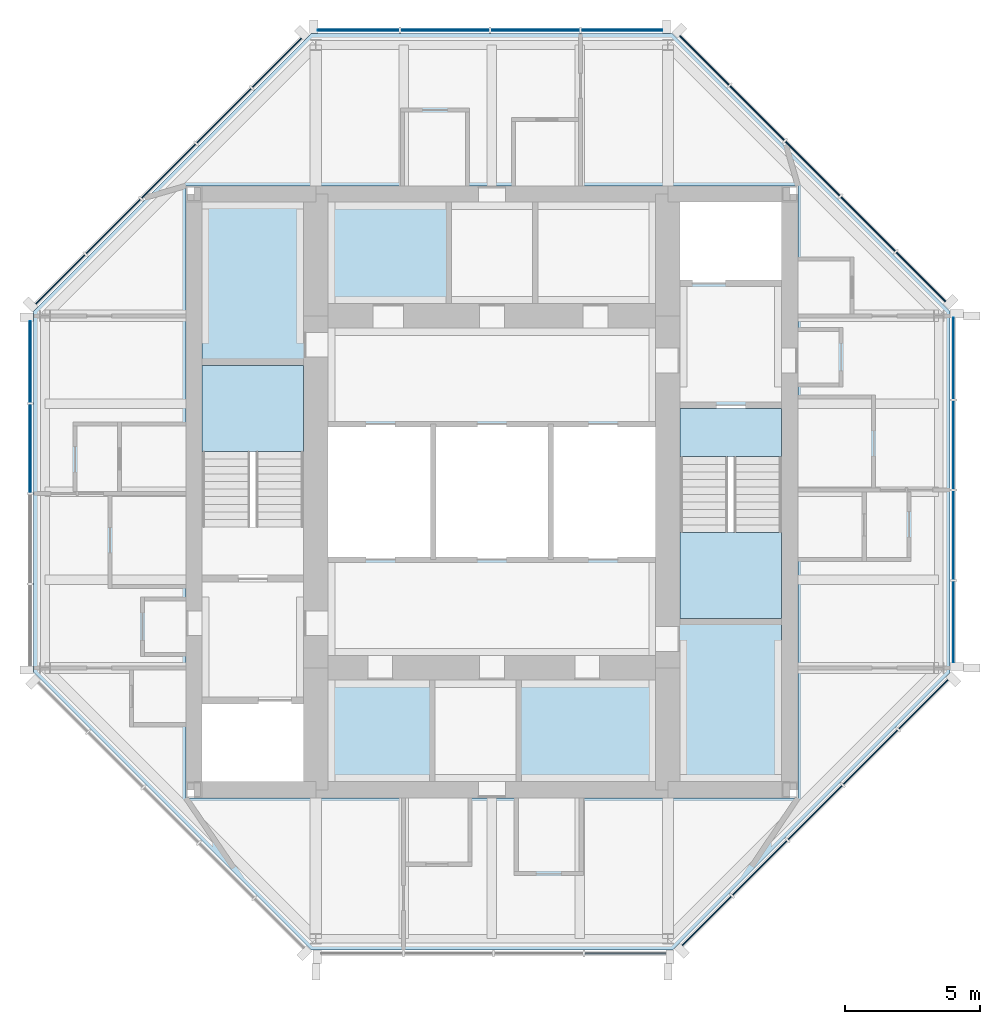
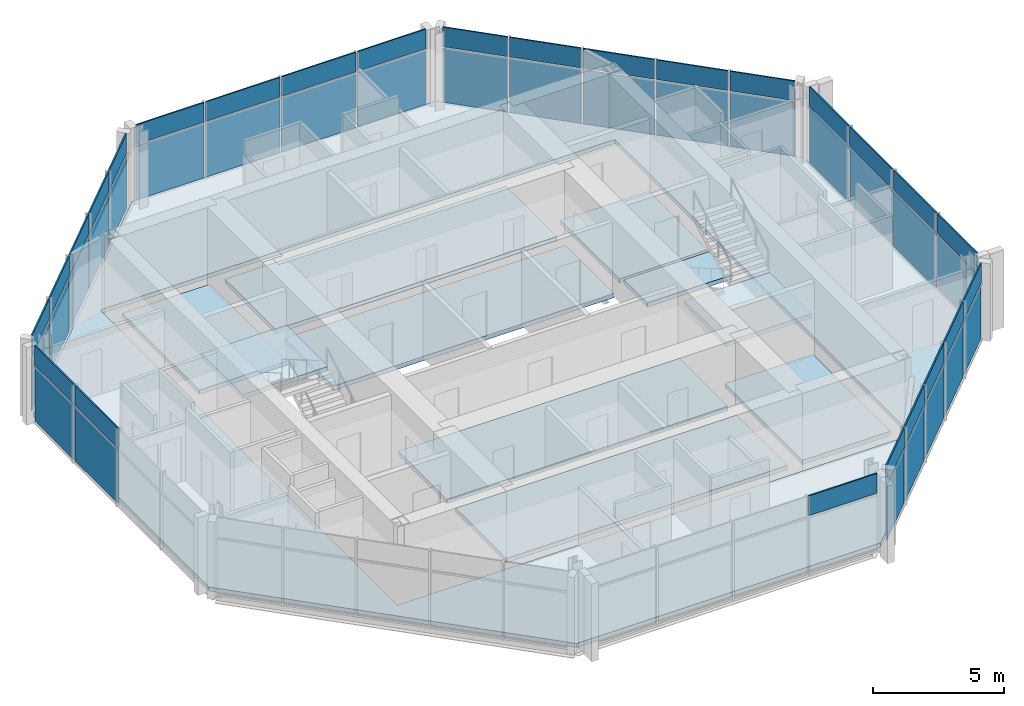
# One storey, part 4 of 9: 51 plates, 11 slabs, 9 elements without a shape of their own.
"""IFC4 building model written with IfcOpenShell, lengths in metres."""

from ifc_helpers import new_model, si_unit, direction, frame, origin, origin_2d, place, context, subcontext, project, spatial, polyline, rectangle, outline, extrude, material, layer, layer_set, type_object, element, aggregate, save


model = new_model("IFC4")

# Units and contexts
model_context = context("Model", 3, precision=1e-05, world=origin(), true_north=direction((0.0, 1.0)))
body_context = subcontext(model_context, "Body", "Model", "MODEL_VIEW")
ifc_project = project(units=[si_unit("LENGTHUNIT", "METRE"), si_unit("AREAUNIT", "SQUARE_METRE"), si_unit("VOLUMEUNIT", "CUBIC_METRE"), si_unit("PLANEANGLEUNIT", "RADIAN"), si_unit("MASSUNIT", "GRAM", prefix="KILO")], contexts=[model_context])

# Site, building, storey
site_placement = place(None, origin())
site = spatial("IfcSite", under=ifc_project, at=site_placement, CompositionType="ELEMENT")
building_placement = place(site_placement, origin())
building = spatial("IfcBuilding", under=site, at=building_placement, Name="Trevanion Tower", CompositionType="ELEMENT")
storey_placement = place(building_placement, frame((0.0, 0.0, 284.800048828125)))
storey = spatial("IfcBuildingStorey", under=building, at=storey_placement, Name="L70", CompositionType="ELEMENT", Elevation=284.800048828125)

# Curtain wall, plates
ifc_material_1 = material(Name="Aluminium and glass", Category="aluminium")
curtain_wall_type = type_object("IfcCurtainWallType", Name="CW4 curtain wall", PredefinedType="USERDEFINED", material=ifc_material_1)
curtain_wall_1_placement = place(storey_placement, origin())
curtain_wall_1 = element("IfcCurtainWall", 1, at=curtain_wall_1_placement, inside=storey, type_object=curtain_wall_type, Name="CW4 L70 0", ObjectType="UNITISED CURTAIN WALL", PredefinedType="USERDEFINED")
ifc_material_2 = material(Name="Aluminium spandrel panel", Category="aluminium")
ifc_layer_1 = layer(ifc_material_2, 0.06005859375)
ifc_layer_set_1 = layer_set([ifc_layer_1], Name="CW4 spandrel panel")
plate_type_1 = type_object("IfcPlateType", Name="CW4 spandrel panel", PredefinedType="CURTAIN_PANEL", material=ifc_layer_set_1)
plate_1_placement = place(storey_placement, frame((17.050048828125, -4.80078125, 2.497314453125), z_axis=(0.0, 0.0, 1.0), x_axis=(0.0, 1.0, 0.0)))
plate_1 = element("IfcPlate", 2, at=plate_1_placement, type_object=plate_type_1, Name="CW4 panel 1.2", PredefinedType="CURTAIN_PANEL", context=body_context, shape_type="SweptSolid", body=[
    extrude(rectangle(XDim=2.993896484375, YDim=0.06005859375, at=origin_2d()), origin(), (0.0, 0.0, 1.0), 0.91259765625),
])
plate_2_placement = place(storey_placement, frame((17.050048828125, -1.6005859375, 2.497314453125), z_axis=(0.0, 0.0, 1.0), x_axis=(0.0, 1.0, 0.0)))
plate_2 = element("IfcPlate", 3, at=plate_2_placement, type_object=plate_type_1, Name="CW4 panel 2.2", PredefinedType="CURTAIN_PANEL", context=body_context, shape_type="SweptSolid", body=[
    extrude(rectangle(XDim=3.25634765625, YDim=0.06005859375, at=origin_2d()), origin(), (0.0, 0.0, 1.0), 0.91259765625),
])
plate_3_placement = place(storey_placement, frame((17.050048828125, 1.730712890625, 2.497314453125), z_axis=(0.0, 0.0, 1.0), x_axis=(0.0, 1.0, 0.0)))
plate_3 = element("IfcPlate", 4, at=plate_3_placement, type_object=plate_type_1, Name="CW4 panel 3.2", PredefinedType="CURTAIN_PANEL", context=body_context, shape_type="SweptSolid", body=[
    extrude(rectangle(XDim=3.25634765625, YDim=0.06005859375, at=origin_2d()), origin(), (0.0, 0.0, 1.0), 0.91259765625),
])
plate_4_placement = place(storey_placement, frame((17.050048828125, 4.930908203125, 2.497314453125), z_axis=(0.0, 0.0, 1.0), x_axis=(0.0, 1.0, 0.0)))
plate_4 = element("IfcPlate", 5, at=plate_4_placement, type_object=plate_type_1, Name="CW4 panel 4.2", PredefinedType="CURTAIN_PANEL", context=body_context, shape_type="SweptSolid", body=[
    extrude(rectangle(XDim=2.993896484375, YDim=0.06005859375, at=origin_2d()), origin(), (0.0, 0.0, 1.0), 0.91259765625),
])

curtain_wall_2_placement = place(storey_placement, origin())
curtain_wall_2 = element("IfcCurtainWall", 6, at=curtain_wall_2_placement, inside=storey, type_object=curtain_wall_type, Name="CW4 L70 1", ObjectType="UNITISED CURTAIN WALL", PredefinedType="USERDEFINED")
plate_5_placement = place(storey_placement, frame((15.84228515625, 7.935546875, 2.497314453125), z_axis=(0.0, 0.0, 1.0), x_axis=(-0.707106781187, 0.707106781187, 0.0)))
plate_5 = element("IfcPlate", 7, at=plate_5_placement, type_object=plate_type_1, Name="CW4 panel 1.2", PredefinedType="CURTAIN_PANEL", context=body_context, shape_type="SweptSolid", body=[
    extrude(rectangle(XDim=2.55615234375, YDim=0.06005859375, at=origin_2d()), origin(), (0.0, 0.0, 1.0), 0.91259765625),
])
plate_6_placement = place(storey_placement, frame((13.888916015625, 9.888916015625, 2.497314453125), z_axis=(0.0, 0.0, 1.0), x_axis=(-0.707106781187, 0.707106781187, 0.0)))
plate_6 = element("IfcPlate", 8, at=plate_6_placement, type_object=plate_type_1, Name="CW4 panel 2.2", PredefinedType="CURTAIN_PANEL", context=body_context, shape_type="SweptSolid", body=[
    extrude(rectangle(XDim=2.818603515625, YDim=0.06005859375, at=origin_2d()), origin(), (0.0, 0.0, 1.0), 0.91259765625),
])
plate_7_placement = place(storey_placement, frame((11.843017578125, 11.934814453125, 2.497314453125), z_axis=(0.0, 0.0, 1.0), x_axis=(-0.707106781187, 0.707106781187, 0.0)))
plate_7 = element("IfcPlate", 9, at=plate_7_placement, type_object=plate_type_1, Name="CW4 panel 3.2", PredefinedType="CURTAIN_PANEL", context=body_context, shape_type="SweptSolid", body=[
    extrude(rectangle(XDim=2.818603515625, YDim=0.06005859375, at=origin_2d()), origin(), (0.0, 0.0, 1.0), 0.91259765625),
])
plate_8_placement = place(storey_placement, frame((9.796875, 13.98095703125, 2.497314453125), z_axis=(0.0, 0.0, 1.0), x_axis=(-0.707106781187, 0.707106781187, 0.0)))
plate_8 = element("IfcPlate", 10, at=plate_8_placement, type_object=plate_type_1, Name="CW4 panel 4.2", PredefinedType="CURTAIN_PANEL", context=body_context, shape_type="SweptSolid", body=[
    extrude(rectangle(XDim=2.818603515625, YDim=0.06005859375, at=origin_2d()), origin(), (0.0, 0.0, 1.0), 0.91259765625),
])
plate_9_placement = place(storey_placement, frame((7.84375, 15.93408203125, 2.497314453125), z_axis=(0.0, 0.0, 1.0), x_axis=(-0.707106781187, 0.707106781187, 0.0)))
plate_9 = element("IfcPlate", 11, at=plate_9_placement, type_object=plate_type_1, Name="CW4 panel 5.2", PredefinedType="CURTAIN_PANEL", context=body_context, shape_type="SweptSolid", body=[
    extrude(rectangle(XDim=2.55615234375, YDim=0.06005859375, at=origin_2d()), origin(), (0.0, 0.0, 1.0), 0.91259765625),
])

curtain_wall_3_placement = place(storey_placement, origin())
curtain_wall_3 = element("IfcCurtainWall", 12, at=curtain_wall_3_placement, inside=storey, type_object=curtain_wall_type, Name="CW4 L70 2", ObjectType="UNITISED CURTAIN WALL", PredefinedType="USERDEFINED")
plate_10_placement = place(storey_placement, frame((4.80078125, 17.050048828125, 2.497314453125), z_axis=(0.0, 0.0, 1.0), x_axis=(-1.0, 0.0, 0.0)))
plate_10 = element("IfcPlate", 13, at=plate_10_placement, type_object=plate_type_1, Name="CW4 panel 1.2", PredefinedType="CURTAIN_PANEL", context=body_context, shape_type="SweptSolid", body=[
    extrude(rectangle(XDim=2.993896484375, YDim=0.06005859375, at=origin_2d()), origin(), (0.0, 0.0, 1.0), 0.91259765625),
])
plate_11_placement = place(storey_placement, frame((1.6005859375, 17.050048828125, 2.497314453125), z_axis=(0.0, 0.0, 1.0), x_axis=(-1.0, 0.0, 0.0)))
plate_11 = element("IfcPlate", 14, at=plate_11_placement, type_object=plate_type_1, Name="CW4 panel 2.2", PredefinedType="CURTAIN_PANEL", context=body_context, shape_type="SweptSolid", body=[
    extrude(rectangle(XDim=3.25634765625, YDim=0.06005859375, at=origin_2d()), origin(), (0.0, 0.0, 1.0), 0.91259765625),
])
plate_12_placement = place(storey_placement, frame((-1.730712890625, 17.050048828125, 2.497314453125), z_axis=(0.0, 0.0, 1.0), x_axis=(-1.0, 0.0, 0.0)))
plate_12 = element("IfcPlate", 15, at=plate_12_placement, type_object=plate_type_1, Name="CW4 panel 3.2", PredefinedType="CURTAIN_PANEL", context=body_context, shape_type="SweptSolid", body=[
    extrude(rectangle(XDim=3.25634765625, YDim=0.06005859375, at=origin_2d()), origin(), (0.0, 0.0, 1.0), 0.91259765625),
])
plate_13_placement = place(storey_placement, frame((-4.930908203125, 17.050048828125, 2.497314453125), z_axis=(0.0, 0.0, 1.0), x_axis=(-1.0, 0.0, 0.0)))
plate_13 = element("IfcPlate", 16, at=plate_13_placement, type_object=plate_type_1, Name="CW4 panel 4.2", PredefinedType="CURTAIN_PANEL", context=body_context, shape_type="SweptSolid", body=[
    extrude(rectangle(XDim=2.993896484375, YDim=0.06005859375, at=origin_2d()), origin(), (0.0, 0.0, 1.0), 0.91259765625),
])

curtain_wall_4_placement = place(storey_placement, origin())
curtain_wall_4 = element("IfcCurtainWall", 17, at=curtain_wall_4_placement, inside=storey, type_object=curtain_wall_type, Name="CW4 L70 3", ObjectType="UNITISED CURTAIN WALL", PredefinedType="USERDEFINED")
plate_14_placement = place(storey_placement, frame((-7.935546875, 15.84228515625, 2.497314453125), z_axis=(0.0, 0.0, 1.0), x_axis=(-0.707106781187, -0.707106781187, 0.0)))
plate_14 = element("IfcPlate", 18, at=plate_14_placement, type_object=plate_type_1, Name="CW4 panel 1.2", PredefinedType="CURTAIN_PANEL", context=body_context, shape_type="SweptSolid", body=[
    extrude(rectangle(XDim=2.55615234375, YDim=0.06005859375, at=origin_2d()), origin(), (0.0, 0.0, 1.0), 0.91259765625),
])
plate_15_placement = place(storey_placement, frame((-9.888916015625, 13.888916015625, 2.497314453125), z_axis=(0.0, 0.0, 1.0), x_axis=(-0.707106781187, -0.707106781187, 0.0)))
plate_15 = element("IfcPlate", 19, at=plate_15_placement, type_object=plate_type_1, Name="CW4 panel 2.2", PredefinedType="CURTAIN_PANEL", context=body_context, shape_type="SweptSolid", body=[
    extrude(rectangle(XDim=2.818603515625, YDim=0.06005859375, at=origin_2d()), origin(), (0.0, 0.0, 1.0), 0.91259765625),
])
plate_16_placement = place(storey_placement, frame((-11.934814453125, 11.843017578125, 2.497314453125), z_axis=(0.0, 0.0, 1.0), x_axis=(-0.707106781187, -0.707106781187, 0.0)))
plate_16 = element("IfcPlate", 20, at=plate_16_placement, type_object=plate_type_1, Name="CW4 panel 3.2", PredefinedType="CURTAIN_PANEL", context=body_context, shape_type="SweptSolid", body=[
    extrude(rectangle(XDim=2.818603515625, YDim=0.06005859375, at=origin_2d()), origin(), (0.0, 0.0, 1.0), 0.91259765625),
])
plate_17_placement = place(storey_placement, frame((-13.98095703125, 9.796875, 2.497314453125), z_axis=(0.0, 0.0, 1.0), x_axis=(-0.707106781187, -0.707106781187, 0.0)))
plate_17 = element("IfcPlate", 21, at=plate_17_placement, type_object=plate_type_1, Name="CW4 panel 4.2", PredefinedType="CURTAIN_PANEL", context=body_context, shape_type="SweptSolid", body=[
    extrude(rectangle(XDim=2.818603515625, YDim=0.06005859375, at=origin_2d()), origin(), (0.0, 0.0, 1.0), 0.91259765625),
])
plate_18_placement = place(storey_placement, frame((-15.93408203125, 7.84375, 2.497314453125), z_axis=(0.0, 0.0, 1.0), x_axis=(-0.707106781187, -0.707106781187, 0.0)))
plate_18 = element("IfcPlate", 22, at=plate_18_placement, type_object=plate_type_1, Name="CW4 panel 5.2", PredefinedType="CURTAIN_PANEL", context=body_context, shape_type="SweptSolid", body=[
    extrude(rectangle(XDim=2.55615234375, YDim=0.06005859375, at=origin_2d()), origin(), (0.0, 0.0, 1.0), 0.91259765625),
])

curtain_wall_5_placement = place(storey_placement, origin())
curtain_wall_5 = element("IfcCurtainWall", 23, at=curtain_wall_5_placement, inside=storey, type_object=curtain_wall_type, Name="CW4 L70 4", ObjectType="UNITISED CURTAIN WALL", PredefinedType="USERDEFINED")
plate_19_placement = place(storey_placement, frame((-17.050048828125, 4.80078125, 2.497314453125), z_axis=(0.0, 0.0, 1.0), x_axis=(0.0, -1.0, 0.0)))
plate_19 = element("IfcPlate", 24, at=plate_19_placement, type_object=plate_type_1, Name="CW4 panel 1.2", PredefinedType="CURTAIN_PANEL", context=body_context, shape_type="SweptSolid", body=[
    extrude(rectangle(XDim=2.993896484375, YDim=0.06005859375, at=origin_2d()), origin(), (0.0, 0.0, 1.0), 0.91259765625),
])
plate_20_placement = place(storey_placement, frame((-17.050048828125, 1.6005859375, 2.497314453125), z_axis=(0.0, 0.0, 1.0), x_axis=(0.0, -1.0, 0.0)))
plate_20 = element("IfcPlate", 25, at=plate_20_placement, type_object=plate_type_1, Name="CW4 panel 2.2", PredefinedType="CURTAIN_PANEL", context=body_context, shape_type="SweptSolid", body=[
    extrude(rectangle(XDim=3.25634765625, YDim=0.06005859375, at=origin_2d()), origin(), (0.0, 0.0, 1.0), 0.91259765625),
])

# Curtain wall, plate
curtain_wall_6_placement = place(storey_placement, origin())
curtain_wall_6 = element("IfcCurtainWall", 26, at=curtain_wall_6_placement, inside=storey, type_object=curtain_wall_type, Name="CW4 L70 6", ObjectType="UNITISED CURTAIN WALL", PredefinedType="USERDEFINED")
plate_21_placement = place(storey_placement, frame((4.930908203125, -17.050048828125, 2.497314453125), z_axis=(0.0, 0.0, 1.0), x_axis=(1.0, 0.0, 0.0)))
plate_21 = element("IfcPlate", 27, at=plate_21_placement, type_object=plate_type_1, Name="CW4 panel 4.2", PredefinedType="CURTAIN_PANEL", context=body_context, shape_type="SweptSolid", body=[
    extrude(rectangle(XDim=2.993896484375, YDim=0.06005859375, at=origin_2d()), origin(), (0.0, 0.0, 1.0), 0.91259765625),
])
aggregate(curtain_wall_6, [plate_21])

# Curtain wall, plates
curtain_wall_7_placement = place(storey_placement, origin())
curtain_wall_7 = element("IfcCurtainWall", 28, at=curtain_wall_7_placement, inside=storey, type_object=curtain_wall_type, Name="CW4 L70 7", ObjectType="UNITISED CURTAIN WALL", PredefinedType="USERDEFINED")
plate_22_placement = place(storey_placement, frame((7.935546875, -15.84228515625, 2.497314453125), z_axis=(0.0, 0.0, 1.0), x_axis=(0.707106781187, 0.707106781187, 0.0)))
plate_22 = element("IfcPlate", 29, at=plate_22_placement, type_object=plate_type_1, Name="CW4 panel 1.2", PredefinedType="CURTAIN_PANEL", context=body_context, shape_type="SweptSolid", body=[
    extrude(rectangle(XDim=2.55615234375, YDim=0.06005859375, at=origin_2d()), origin(), (0.0, 0.0, 1.0), 0.91259765625),
])
plate_23_placement = place(storey_placement, frame((9.888916015625, -13.888916015625, 2.497314453125), z_axis=(0.0, 0.0, 1.0), x_axis=(0.707106781187, 0.707106781187, 0.0)))
plate_23 = element("IfcPlate", 30, at=plate_23_placement, type_object=plate_type_1, Name="CW4 panel 2.2", PredefinedType="CURTAIN_PANEL", context=body_context, shape_type="SweptSolid", body=[
    extrude(rectangle(XDim=2.818603515625, YDim=0.06005859375, at=origin_2d()), origin(), (0.0, 0.0, 1.0), 0.91259765625),
])
plate_24_placement = place(storey_placement, frame((11.934814453125, -11.843017578125, 2.497314453125), z_axis=(0.0, 0.0, 1.0), x_axis=(0.707106781187, 0.707106781187, 0.0)))
plate_24 = element("IfcPlate", 31, at=plate_24_placement, type_object=plate_type_1, Name="CW4 panel 3.2", PredefinedType="CURTAIN_PANEL", context=body_context, shape_type="SweptSolid", body=[
    extrude(rectangle(XDim=2.818603515625, YDim=0.06005859375, at=origin_2d()), origin(), (0.0, 0.0, 1.0), 0.91259765625),
])
plate_25_placement = place(storey_placement, frame((13.98095703125, -9.796875, 2.497314453125), z_axis=(0.0, 0.0, 1.0), x_axis=(0.707106781187, 0.707106781187, 0.0)))
plate_25 = element("IfcPlate", 32, at=plate_25_placement, type_object=plate_type_1, Name="CW4 panel 4.2", PredefinedType="CURTAIN_PANEL", context=body_context, shape_type="SweptSolid", body=[
    extrude(rectangle(XDim=2.818603515625, YDim=0.06005859375, at=origin_2d()), origin(), (0.0, 0.0, 1.0), 0.91259765625),
])
plate_26_placement = place(storey_placement, frame((15.93408203125, -7.84375, 2.497314453125), z_axis=(0.0, 0.0, 1.0), x_axis=(0.707106781187, 0.707106781187, 0.0)))
plate_26 = element("IfcPlate", 33, at=plate_26_placement, type_object=plate_type_1, Name="CW4 panel 5.2", PredefinedType="CURTAIN_PANEL", context=body_context, shape_type="SweptSolid", body=[
    extrude(rectangle(XDim=2.55615234375, YDim=0.06005859375, at=origin_2d()), origin(), (0.0, 0.0, 1.0), 0.91259765625),
])

# Plate
ifc_material_3 = material(Name="Insulating glass unit", Category="glass")
ifc_layer_2 = layer(ifc_material_3, 0.028076171875)
ifc_layer_set_2 = layer_set([ifc_layer_2], Name="CW4 vision panel")
plate_type_2 = type_object("IfcPlateType", Name="CW4 vision panel", PredefinedType="CURTAIN_PANEL", material=ifc_layer_set_2)
plate_27_placement = place(storey_placement, frame((17.050048828125, -4.80078125, -0.114990234375), z_axis=(0.0, 0.0, 1.0), x_axis=(0.0, 1.0, 0.0)))
plate_27 = element("IfcPlate", 34, at=plate_27_placement, type_object=plate_type_2, Name="CW4 panel 1.1", PredefinedType="CURTAIN_PANEL", context=body_context, shape_type="SweptSolid", body=[
    extrude(rectangle(XDim=2.993896484375, YDim=0.028076171875, at=origin_2d()), origin(), (0.0, 0.0, 1.0), 2.53759765625),
])

plate_28_placement = place(storey_placement, frame((17.050048828125, -1.6005859375, -0.114990234375), z_axis=(0.0, 0.0, 1.0), x_axis=(0.0, 1.0, 0.0)))
plate_28 = element("IfcPlate", 35, at=plate_28_placement, type_object=plate_type_2, Name="CW4 panel 2.1", PredefinedType="CURTAIN_PANEL", context=body_context, shape_type="SweptSolid", body=[
    extrude(rectangle(XDim=3.25634765625, YDim=0.028076171875, at=origin_2d()), origin(), (0.0, 0.0, 1.0), 2.53759765625),
])

plate_29_placement = place(storey_placement, frame((17.050048828125, 1.730712890625, -0.114990234375), z_axis=(0.0, 0.0, 1.0), x_axis=(0.0, 1.0, 0.0)))
plate_29 = element("IfcPlate", 36, at=plate_29_placement, type_object=plate_type_2, Name="CW4 panel 3.1", PredefinedType="CURTAIN_PANEL", context=body_context, shape_type="SweptSolid", body=[
    extrude(rectangle(XDim=3.25634765625, YDim=0.028076171875, at=origin_2d()), origin(), (0.0, 0.0, 1.0), 2.53759765625),
])

plate_30_placement = place(storey_placement, frame((17.050048828125, 4.930908203125, -0.114990234375), z_axis=(0.0, 0.0, 1.0), x_axis=(0.0, 1.0, 0.0)))
plate_30 = element("IfcPlate", 37, at=plate_30_placement, type_object=plate_type_2, Name="CW4 panel 4.1", PredefinedType="CURTAIN_PANEL", context=body_context, shape_type="SweptSolid", body=[
    extrude(rectangle(XDim=2.993896484375, YDim=0.028076171875, at=origin_2d()), origin(), (0.0, 0.0, 1.0), 2.53759765625),
])

aggregate(curtain_wall_1, [plate_27, plate_1, plate_28, plate_2, plate_29, plate_3, plate_30, plate_4])

plate_31_placement = place(storey_placement, frame((15.84228515625, 7.935546875, -0.114990234375), z_axis=(0.0, 0.0, 1.0), x_axis=(-0.707106781187, 0.707106781187, 0.0)))
plate_31 = element("IfcPlate", 38, at=plate_31_placement, type_object=plate_type_2, Name="CW4 panel 1.1", PredefinedType="CURTAIN_PANEL", context=body_context, shape_type="SweptSolid", body=[
    extrude(rectangle(XDim=2.55615234375, YDim=0.028076171875, at=origin_2d()), origin(), (0.0, 0.0, 1.0), 2.53759765625),
])

plate_32_placement = place(storey_placement, frame((13.888916015625, 9.888916015625, -0.114990234375), z_axis=(0.0, 0.0, 1.0), x_axis=(-0.707106781187, 0.707106781187, 0.0)))
plate_32 = element("IfcPlate", 39, at=plate_32_placement, type_object=plate_type_2, Name="CW4 panel 2.1", PredefinedType="CURTAIN_PANEL", context=body_context, shape_type="SweptSolid", body=[
    extrude(rectangle(XDim=2.818603515625, YDim=0.028076171875, at=origin_2d()), origin(), (0.0, 0.0, 1.0), 2.53759765625),
])

plate_33_placement = place(storey_placement, frame((11.843017578125, 11.934814453125, -0.114990234375), z_axis=(0.0, 0.0, 1.0), x_axis=(-0.707106781187, 0.707106781187, 0.0)))
plate_33 = element("IfcPlate", 40, at=plate_33_placement, type_object=plate_type_2, Name="CW4 panel 3.1", PredefinedType="CURTAIN_PANEL", context=body_context, shape_type="SweptSolid", body=[
    extrude(rectangle(XDim=2.818603515625, YDim=0.028076171875, at=origin_2d()), origin(), (0.0, 0.0, 1.0), 2.53759765625),
])

plate_34_placement = place(storey_placement, frame((9.796875, 13.98095703125, -0.114990234375), z_axis=(0.0, 0.0, 1.0), x_axis=(-0.707106781187, 0.707106781187, 0.0)))
plate_34 = element("IfcPlate", 41, at=plate_34_placement, type_object=plate_type_2, Name="CW4 panel 4.1", PredefinedType="CURTAIN_PANEL", context=body_context, shape_type="SweptSolid", body=[
    extrude(rectangle(XDim=2.818603515625, YDim=0.028076171875, at=origin_2d()), origin(), (0.0, 0.0, 1.0), 2.53759765625),
])

plate_35_placement = place(storey_placement, frame((7.84375, 15.93408203125, -0.114990234375), z_axis=(0.0, 0.0, 1.0), x_axis=(-0.707106781187, 0.707106781187, 0.0)))
plate_35 = element("IfcPlate", 42, at=plate_35_placement, type_object=plate_type_2, Name="CW4 panel 5.1", PredefinedType="CURTAIN_PANEL", context=body_context, shape_type="SweptSolid", body=[
    extrude(rectangle(XDim=2.55615234375, YDim=0.028076171875, at=origin_2d()), origin(), (0.0, 0.0, 1.0), 2.53759765625),
])

aggregate(curtain_wall_2, [plate_31, plate_5, plate_32, plate_6, plate_33, plate_7, plate_34, plate_8, plate_35, plate_9])

plate_36_placement = place(storey_placement, frame((4.80078125, 17.050048828125, -0.114990234375), z_axis=(0.0, 0.0, 1.0), x_axis=(-1.0, 0.0, 0.0)))
plate_36 = element("IfcPlate", 43, at=plate_36_placement, type_object=plate_type_2, Name="CW4 panel 1.1", PredefinedType="CURTAIN_PANEL", context=body_context, shape_type="SweptSolid", body=[
    extrude(rectangle(XDim=2.993896484375, YDim=0.028076171875, at=origin_2d()), origin(), (0.0, 0.0, 1.0), 2.53759765625),
])

plate_37_placement = place(storey_placement, frame((1.6005859375, 17.050048828125, -0.114990234375), z_axis=(0.0, 0.0, 1.0), x_axis=(-1.0, 0.0, 0.0)))
plate_37 = element("IfcPlate", 44, at=plate_37_placement, type_object=plate_type_2, Name="CW4 panel 2.1", PredefinedType="CURTAIN_PANEL", context=body_context, shape_type="SweptSolid", body=[
    extrude(rectangle(XDim=3.25634765625, YDim=0.028076171875, at=origin_2d()), origin(), (0.0, 0.0, 1.0), 2.53759765625),
])

plate_38_placement = place(storey_placement, frame((-1.730712890625, 17.050048828125, -0.114990234375), z_axis=(0.0, 0.0, 1.0), x_axis=(-1.0, 0.0, 0.0)))
plate_38 = element("IfcPlate", 45, at=plate_38_placement, type_object=plate_type_2, Name="CW4 panel 3.1", PredefinedType="CURTAIN_PANEL", context=body_context, shape_type="SweptSolid", body=[
    extrude(rectangle(XDim=3.25634765625, YDim=0.028076171875, at=origin_2d()), origin(), (0.0, 0.0, 1.0), 2.53759765625),
])

plate_39_placement = place(storey_placement, frame((-4.930908203125, 17.050048828125, -0.114990234375), z_axis=(0.0, 0.0, 1.0), x_axis=(-1.0, 0.0, 0.0)))
plate_39 = element("IfcPlate", 46, at=plate_39_placement, type_object=plate_type_2, Name="CW4 panel 4.1", PredefinedType="CURTAIN_PANEL", context=body_context, shape_type="SweptSolid", body=[
    extrude(rectangle(XDim=2.993896484375, YDim=0.028076171875, at=origin_2d()), origin(), (0.0, 0.0, 1.0), 2.53759765625),
])

aggregate(curtain_wall_3, [plate_36, plate_10, plate_37, plate_11, plate_38, plate_12, plate_39, plate_13])

plate_40_placement = place(storey_placement, frame((-7.935546875, 15.84228515625, -0.114990234375), z_axis=(0.0, 0.0, 1.0), x_axis=(-0.707106781187, -0.707106781187, 0.0)))
plate_40 = element("IfcPlate", 47, at=plate_40_placement, type_object=plate_type_2, Name="CW4 panel 1.1", PredefinedType="CURTAIN_PANEL", context=body_context, shape_type="SweptSolid", body=[
    extrude(rectangle(XDim=2.55615234375, YDim=0.028076171875, at=origin_2d()), origin(), (0.0, 0.0, 1.0), 2.53759765625),
])

plate_41_placement = place(storey_placement, frame((-9.888916015625, 13.888916015625, -0.114990234375), z_axis=(0.0, 0.0, 1.0), x_axis=(-0.707106781187, -0.707106781187, 0.0)))
plate_41 = element("IfcPlate", 48, at=plate_41_placement, type_object=plate_type_2, Name="CW4 panel 2.1", PredefinedType="CURTAIN_PANEL", context=body_context, shape_type="SweptSolid", body=[
    extrude(rectangle(XDim=2.818603515625, YDim=0.028076171875, at=origin_2d()), origin(), (0.0, 0.0, 1.0), 2.53759765625),
])

plate_42_placement = place(storey_placement, frame((-11.934814453125, 11.843017578125, -0.114990234375), z_axis=(0.0, 0.0, 1.0), x_axis=(-0.707106781187, -0.707106781187, 0.0)))
plate_42 = element("IfcPlate", 49, at=plate_42_placement, type_object=plate_type_2, Name="CW4 panel 3.1", PredefinedType="CURTAIN_PANEL", context=body_context, shape_type="SweptSolid", body=[
    extrude(rectangle(XDim=2.818603515625, YDim=0.028076171875, at=origin_2d()), origin(), (0.0, 0.0, 1.0), 2.53759765625),
])

plate_43_placement = place(storey_placement, frame((-13.98095703125, 9.796875, -0.114990234375), z_axis=(0.0, 0.0, 1.0), x_axis=(-0.707106781187, -0.707106781187, 0.0)))
plate_43 = element("IfcPlate", 50, at=plate_43_placement, type_object=plate_type_2, Name="CW4 panel 4.1", PredefinedType="CURTAIN_PANEL", context=body_context, shape_type="SweptSolid", body=[
    extrude(rectangle(XDim=2.818603515625, YDim=0.028076171875, at=origin_2d()), origin(), (0.0, 0.0, 1.0), 2.53759765625),
])

plate_44_placement = place(storey_placement, frame((-15.93408203125, 7.84375, -0.114990234375), z_axis=(0.0, 0.0, 1.0), x_axis=(-0.707106781187, -0.707106781187, 0.0)))
plate_44 = element("IfcPlate", 51, at=plate_44_placement, type_object=plate_type_2, Name="CW4 panel 5.1", PredefinedType="CURTAIN_PANEL", context=body_context, shape_type="SweptSolid", body=[
    extrude(rectangle(XDim=2.55615234375, YDim=0.028076171875, at=origin_2d()), origin(), (0.0, 0.0, 1.0), 2.53759765625),
])

aggregate(curtain_wall_4, [plate_40, plate_14, plate_41, plate_15, plate_42, plate_16, plate_43, plate_17, plate_44, plate_18])

plate_45_placement = place(storey_placement, frame((-17.050048828125, 4.80078125, -0.114990234375), z_axis=(0.0, 0.0, 1.0), x_axis=(0.0, -1.0, 0.0)))
plate_45 = element("IfcPlate", 52, at=plate_45_placement, type_object=plate_type_2, Name="CW4 panel 1.1", PredefinedType="CURTAIN_PANEL", context=body_context, shape_type="SweptSolid", body=[
    extrude(rectangle(XDim=2.993896484375, YDim=0.028076171875, at=origin_2d()), origin(), (0.0, 0.0, 1.0), 2.53759765625),
])

plate_46_placement = place(storey_placement, frame((-17.050048828125, 1.6005859375, -0.114990234375), z_axis=(0.0, 0.0, 1.0), x_axis=(0.0, -1.0, 0.0)))
plate_46 = element("IfcPlate", 53, at=plate_46_placement, type_object=plate_type_2, Name="CW4 panel 2.1", PredefinedType="CURTAIN_PANEL", context=body_context, shape_type="SweptSolid", body=[
    extrude(rectangle(XDim=3.25634765625, YDim=0.028076171875, at=origin_2d()), origin(), (0.0, 0.0, 1.0), 2.53759765625),
])

aggregate(curtain_wall_5, [plate_45, plate_19, plate_46, plate_20])

plate_47_placement = place(storey_placement, frame((7.935546875, -15.84228515625, -0.114990234375), z_axis=(0.0, 0.0, 1.0), x_axis=(0.707106781187, 0.707106781187, 0.0)))
plate_47 = element("IfcPlate", 54, at=plate_47_placement, type_object=plate_type_2, Name="CW4 panel 1.1", PredefinedType="CURTAIN_PANEL", context=body_context, shape_type="SweptSolid", body=[
    extrude(rectangle(XDim=2.55615234375, YDim=0.028076171875, at=origin_2d()), origin(), (0.0, 0.0, 1.0), 2.53759765625),
])

plate_48_placement = place(storey_placement, frame((9.888916015625, -13.888916015625, -0.114990234375), z_axis=(0.0, 0.0, 1.0), x_axis=(0.707106781187, 0.707106781187, 0.0)))
plate_48 = element("IfcPlate", 55, at=plate_48_placement, type_object=plate_type_2, Name="CW4 panel 2.1", PredefinedType="CURTAIN_PANEL", context=body_context, shape_type="SweptSolid", body=[
    extrude(rectangle(XDim=2.818603515625, YDim=0.028076171875, at=origin_2d()), origin(), (0.0, 0.0, 1.0), 2.53759765625),
])

plate_49_placement = place(storey_placement, frame((11.934814453125, -11.843017578125, -0.114990234375), z_axis=(0.0, 0.0, 1.0), x_axis=(0.707106781187, 0.707106781187, 0.0)))
plate_49 = element("IfcPlate", 56, at=plate_49_placement, type_object=plate_type_2, Name="CW4 panel 3.1", PredefinedType="CURTAIN_PANEL", context=body_context, shape_type="SweptSolid", body=[
    extrude(rectangle(XDim=2.818603515625, YDim=0.028076171875, at=origin_2d()), origin(), (0.0, 0.0, 1.0), 2.53759765625),
])

plate_50_placement = place(storey_placement, frame((13.98095703125, -9.796875, -0.114990234375), z_axis=(0.0, 0.0, 1.0), x_axis=(0.707106781187, 0.707106781187, 0.0)))
plate_50 = element("IfcPlate", 57, at=plate_50_placement, type_object=plate_type_2, Name="CW4 panel 4.1", PredefinedType="CURTAIN_PANEL", context=body_context, shape_type="SweptSolid", body=[
    extrude(rectangle(XDim=2.818603515625, YDim=0.028076171875, at=origin_2d()), origin(), (0.0, 0.0, 1.0), 2.53759765625),
])

plate_51_placement = place(storey_placement, frame((15.93408203125, -7.84375, -0.114990234375), z_axis=(0.0, 0.0, 1.0), x_axis=(0.707106781187, 0.707106781187, 0.0)))
plate_51 = element("IfcPlate", 58, at=plate_51_placement, type_object=plate_type_2, Name="CW4 panel 5.1", PredefinedType="CURTAIN_PANEL", context=body_context, shape_type="SweptSolid", body=[
    extrude(rectangle(XDim=2.55615234375, YDim=0.028076171875, at=origin_2d()), origin(), (0.0, 0.0, 1.0), 2.53759765625),
])

aggregate(curtain_wall_7, [plate_47, plate_22, plate_48, plate_23, plate_49, plate_24, plate_50, plate_25, plate_51, plate_26])

# Slabs
ifc_material_4 = material(Name="Concrete 5,000 psi on composite metal deck", Category="concrete")
ifc_layer_3 = layer(ifc_material_4, 0.18994140625)
ifc_layer_set_3 = layer_set([ifc_layer_3], Name="SL1 composite floor 190")
slab_type_1 = type_object("IfcSlabType", Name="SL1 composite floor 190", PredefinedType="FLOOR", material=ifc_layer_set_3)
slab_1_placement = place(storey_placement, frame((0.0, 0.0, -0.18994140625)))
element("IfcSlab", 59, at=slab_1_placement, inside=storey, type_object=slab_type_1, Name="SL1 L70 floor", PredefinedType="FLOOR", context=body_context, shape_type="SweptSolid", body=[
    extrude(outline(polyline([(16.919921875, -6.674072265625), (16.919921875, 6.674072265625), (6.674072265625, 16.919921875), (-6.674072265625, 16.919921875), (-16.919921875, 6.674072265625), (-16.919921875, -6.674072265625), (-6.674072265625, -16.919921875), (6.674072265625, -16.919921875), (16.919921875, -6.674072265625)]), holes=[polyline([(11.300048828125, -11.300048828125), (11.300048828125, 11.300048828125), (-11.300048828125, 11.300048828125), (-11.300048828125, -11.300048828125), (11.300048828125, -11.300048828125)])]), origin(), (0.0, 0.0, 1.0), 0.18994140625),
])
ifc_material_5 = material(Name="Concrete 5,000 psi", Category="concrete")
ifc_layer_4 = layer(ifc_material_5, 0.199951171875)
ifc_layer_set_4 = layer_set([ifc_layer_4], Name="SL2 core floor 200")
slab_type_2 = type_object("IfcSlabType", Name="SL2 core floor 200", PredefinedType="FLOOR", material=ifc_layer_set_4)
slab_2_placement = place(storey_placement, frame((0.0, 0.0, -0.199951171875)))
element("IfcSlab", 60, at=slab_2_placement, inside=storey, type_object=slab_type_2, Name="SL2 L70 core floor 1", PredefinedType="FLOOR", context=body_context, shape_type="SweptSolid", body=[
    extrude(outline(polyline([(6.169921875, -10.699951171875), (-6.169921875, -10.699951171875), (-6.169921875, -6.830078125), (6.169921875, -6.830078125), (6.169921875, -10.699951171875)])), origin(), (0.0, 0.0, 1.0), 0.199951171875),
])
slab_3_placement = place(storey_placement, frame((0.0, 0.0, -0.199951171875)))
element("IfcSlab", 61, at=slab_3_placement, inside=storey, type_object=slab_type_2, Name="SL2 L70 core floor 2", PredefinedType="FLOOR", context=body_context, shape_type="SweptSolid", body=[
    extrude(outline(polyline([(6.830078125, -4.804931640625), (10.699951171875, -4.804931640625), (10.699951171875, -10.699951171875), (6.830078125, -10.699951171875), (6.830078125, -4.804931640625)])), origin(), (0.0, 0.0, 1.0), 0.199951171875),
])
slab_4_placement = place(storey_placement, frame((0.0, 0.0, -0.199951171875)))
element("IfcSlab", 62, at=slab_4_placement, inside=storey, type_object=slab_type_2, Name="SL2 L70 core floor 4", PredefinedType="FLOOR", context=body_context, shape_type="SweptSolid", body=[
    extrude(outline(polyline([(6.169921875, -6.169921875), (-6.169921875, -6.169921875), (-6.169921875, -2.47998046875), (6.169921875, -2.47998046875), (6.169921875, -6.169921875)])), origin(), (0.0, 0.0, 1.0), 0.199951171875),
])
slab_5_placement = place(storey_placement, frame((0.0, 0.0, -0.199951171875)))
element("IfcSlab", 63, at=slab_5_placement, inside=storey, type_object=slab_type_2, Name="SL2 L70 core floor 5", PredefinedType="FLOOR", context=body_context, shape_type="SweptSolid", body=[
    extrude(outline(polyline([(6.169921875, 2.47998046875), (-6.169921875, 2.47998046875), (-6.169921875, 6.169921875), (6.169921875, 6.169921875), (6.169921875, 2.47998046875)])), origin(), (0.0, 0.0, 1.0), 0.199951171875),
])
slab_6_placement = place(storey_placement, frame((0.0, 0.0, -0.199951171875)))
element("IfcSlab", 64, at=slab_6_placement, inside=storey, type_object=slab_type_2, Name="SL2 L70 core floor 6", PredefinedType="FLOOR", context=body_context, shape_type="SweptSolid", body=[
    extrude(outline(polyline([(6.830078125, 3.205078125), (6.830078125, 7.695068359375), (10.699951171875, 7.695068359375), (10.699951171875, 3.205078125), (6.830078125, 3.205078125)])), origin(), (0.0, 0.0, 1.0), 0.199951171875),
])
slab_7_placement = place(storey_placement, frame((0.0, 0.0, -0.199951171875)))
element("IfcSlab", 65, at=slab_7_placement, inside=storey, type_object=slab_type_2, Name="SL2 L70 core floor 7", PredefinedType="FLOOR", context=body_context, shape_type="SweptSolid", body=[
    extrude(outline(polyline([(-6.830078125, 4.804931640625), (-10.699951171875, 4.804931640625), (-10.699951171875, 10.699951171875), (-6.830078125, 10.699951171875), (-6.830078125, 4.804931640625)])), origin(), (0.0, 0.0, 1.0), 0.199951171875),
])
slab_8_placement = place(storey_placement, frame((0.0, 0.0, -0.199951171875)))
element("IfcSlab", 66, at=slab_8_placement, inside=storey, type_object=slab_type_2, Name="SL2 L70 core floor 8", PredefinedType="FLOOR", context=body_context, shape_type="SweptSolid", body=[
    extrude(outline(polyline([(6.169921875, 6.830078125), (-6.169921875, 6.830078125), (-6.169921875, 10.699951171875), (6.169921875, 10.699951171875), (6.169921875, 6.830078125)])), origin(), (0.0, 0.0, 1.0), 0.199951171875),
])

# Stair, slabs
ifc_material_6 = material(Name="Concrete 5,000 psi on steel stringers", Category="concrete")
stair_type = type_object("IfcStairType", Name="ST stair", PredefinedType="HALF_TURN_STAIR", material=ifc_material_6)
stair_1_placement = place(storey_placement, origin())
stair_1 = element("IfcStair", 67, at=stair_1_placement, inside=storey, type_object=stair_type, Name="ST1 L70", PredefinedType="HALF_TURN_STAIR")
ifc_material_7 = material(Name="Concrete 5,000 psi in steel pan", Category="concrete")
ifc_layer_5 = layer(ifc_material_7, 0.199951171875)
ifc_layer_set_5 = layer_set([ifc_layer_5], Name="STL stair landing 200")
slab_type_3 = type_object("IfcSlabType", Name="STL stair landing 200", PredefinedType="LANDING", material=ifc_layer_set_5)
slab_9_placement = place(storey_placement, frame((0.0, 0.0, -0.199951171875)))
slab_9 = element("IfcSlab", 68, at=slab_9_placement, type_object=slab_type_3, Name="ST1 landing 1", PredefinedType="LANDING", context=body_context, shape_type="SweptSolid", body=[
    extrude(outline(polyline([(6.949951171875, 1.300048828125), (10.699951171875, 1.300048828125), (10.699951171875, 3.074951171875), (6.949951171875, 3.074951171875), (6.949951171875, 1.300048828125)])), origin(), (0.0, 0.0, 1.0), 0.199951171875),
])
slab_10_placement = place(storey_placement, frame((0.0, 0.0, 1.599853515625)))
slab_10 = element("IfcSlab", 69, at=slab_10_placement, type_object=slab_type_3, Name="ST1 landing 2", PredefinedType="LANDING", context=body_context, shape_type="SweptSolid", body=[
    extrude(outline(polyline([(6.949951171875, -4.675048828125), (10.699951171875, -4.675048828125), (10.699951171875, -1.5), (6.949951171875, -1.5), (6.949951171875, -4.675048828125)])), origin(), (0.0, 0.0, 1.0), 0.2001953125),
])
aggregate(stair_1, [slab_9, slab_10])

# Stair, slab
stair_2_placement = place(storey_placement, origin())
stair_2 = element("IfcStair", 70, at=stair_2_placement, inside=storey, type_object=stair_type, Name="ST2 L70", PredefinedType="HALF_TURN_STAIR")
slab_11_placement = place(storey_placement, frame((0.0, 0.0, 1.599853515625)))
slab_11 = element("IfcSlab", 71, at=slab_11_placement, type_object=slab_type_3, Name="ST2 landing 2", PredefinedType="LANDING", context=body_context, shape_type="SweptSolid", body=[
    extrude(outline(polyline([(-6.949951171875, 4.675048828125), (-10.699951171875, 4.675048828125), (-10.699951171875, 1.5), (-6.949951171875, 1.5), (-6.949951171875, 4.675048828125)])), origin(), (0.0, 0.0, 1.0), 0.2001953125),
])
aggregate(stair_2, [slab_11])

save(model, "model.ifc")
